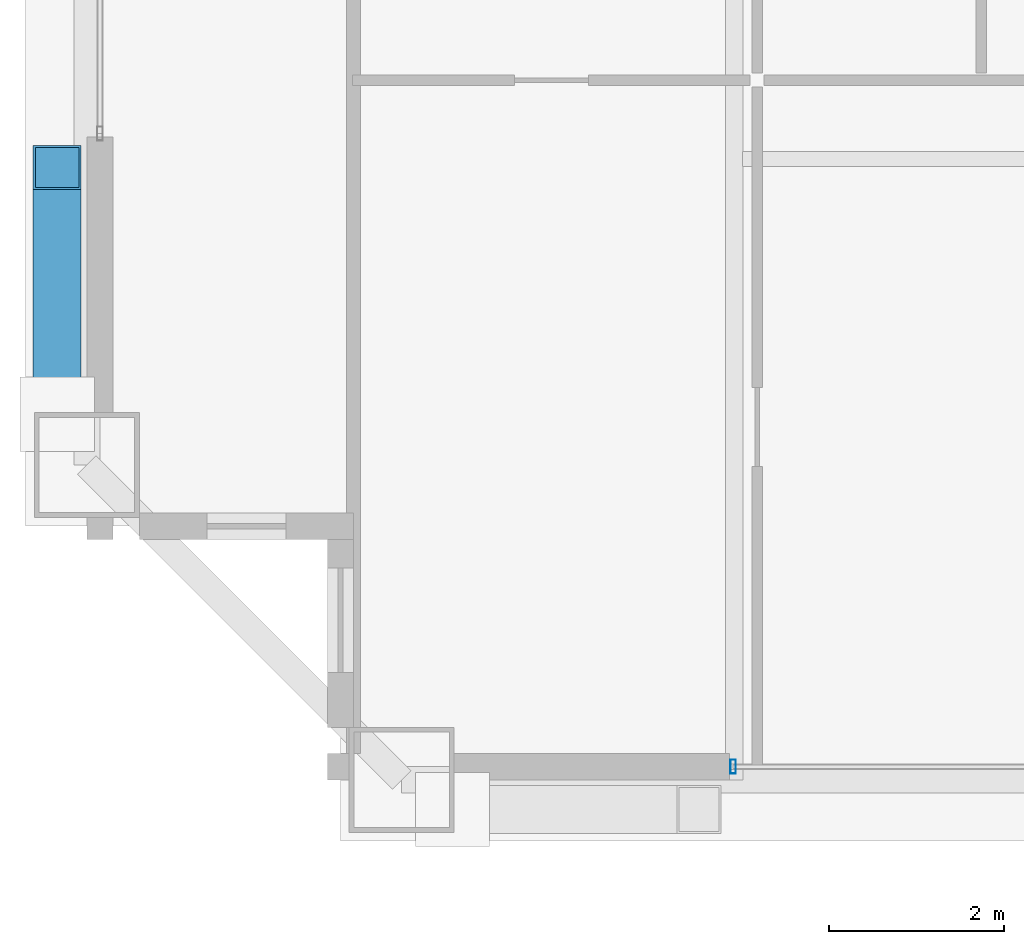
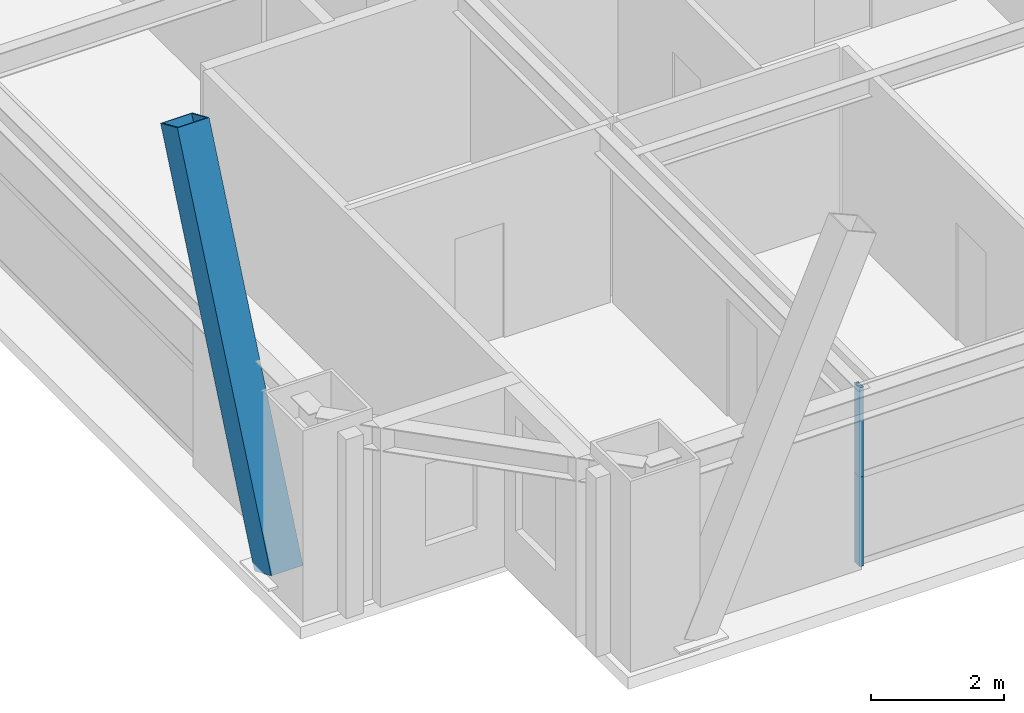
# One storey, part 4 of 37: 3 members, 1 element without a shape of its own.
"""IFC4 building model written with IfcOpenShell, lengths in metres."""

import ifcopenshell
import ifcopenshell.guid

model = None  # the IFC model being written
_history = None  # IfcOwnerHistory: only IFC2X3 demands one
_inside = {}  # id of a spatial element -> (the spatial element, [elements in it])
_under = {}  # id of a project, library or spatial element -> (it, [spatial elements below it])
_declared = {}  # id of a project -> (the project, [libraries it declares])
_typed = {}  # id of a type object -> (the type object, [elements of that type])
_made_of = {}  # id of a material, layer set ... -> (it, [elements and type objects made of it])


def new_model(schema):
    """Start an empty IFC model of exactly this schema.

    Asked for "IFC4X3", IfcOpenShell would pick the latest addendum, in which some entities
    have other attributes; the version numbers below select the first issue.
    IFC2X3 requires an IfcOwnerHistory on every rooted entity: one is made here for all.
    """
    global model, _history
    if schema == "IFC4X3":
        model = ifcopenshell.file(schema_version=(4, 3, 0, 0))
    else:
        model = ifcopenshell.file(schema=schema)
    _inside.clear()
    _under.clear()
    _declared.clear()
    _typed.clear()
    _made_of.clear()
    _history = None
    if model.schema == "IFC2X3":
        org = make("IfcOrganization", Name="unknown")
        user = make(
            "IfcPersonAndOrganization",
            ThePerson=make("IfcPerson", FamilyName="unknown"),
            TheOrganization=org,
        )
        app = make(
            "IfcApplication",
            ApplicationDeveloper=org,
            Version="unknown",
            ApplicationFullName="unknown",
            ApplicationIdentifier="unknown",
        )
        _history = make(
            "IfcOwnerHistory",
            OwningUser=user,
            OwningApplication=app,
            ChangeAction="ADDED",
            CreationDate=0,
        )
    return model


def make(cls, **values):
    """One entity of the class cls with the attributes given. An attribute that is None is left unset."""
    return model.create_entity(
        cls, **{name: value for name, value in values.items() if value is not None}
    )


def rooted(cls, **values):
    """An entity with a GlobalId (a new one), such as an element, a storey or a relation."""
    return make(cls, GlobalId=ifcopenshell.guid.new(), OwnerHistory=_history, **values)


def si_unit(unit_type, name, prefix=None):
    """IfcSIUnit, for example si_unit("LENGTHUNIT", "METRE", prefix="MILLI")."""
    return make("IfcSIUnit", UnitType=unit_type, Prefix=prefix, Name=name)


def assignment(units):
    """IfcUnitAssignment: the units of a project."""
    return None if units is None else make("IfcUnitAssignment", Units=units)


def point(xyz):
    """IfcCartesianPoint."""
    return None if xyz is None else make("IfcCartesianPoint", Coordinates=xyz)


def direction(xyz):
    """IfcDirection."""
    return None if xyz is None else make("IfcDirection", DirectionRatios=xyz)


def frame(location, z_axis=None, x_axis=None):
    """IfcAxis2Placement3D, a coordinate frame: its origin and axes. An axis left out is left unset."""
    return make(
        "IfcAxis2Placement3D",
        Location=point(location),
        Axis=direction(z_axis),
        RefDirection=direction(x_axis),
    )


def frame_2d(location, x_axis=None):
    """IfcAxis2Placement2D, a coordinate frame in the plane: its origin and x axis."""
    return make(
        "IfcAxis2Placement2D", Location=point(location), RefDirection=direction(x_axis)
    )


def origin():
    """The frame at (0, 0, 0) with its axes left unset."""
    return frame((0.0, 0.0, 0.0))


def origin_2d():
    """The frame at (0, 0) in the plane with its x axis left unset."""
    return frame_2d((0.0, 0.0))


def place(relative_to, where):
    """IfcLocalPlacement: puts the frame where relative to a parent placement (None: the world)."""
    return make(
        "IfcLocalPlacement", PlacementRelTo=relative_to, RelativePlacement=where
    )


def context(
    kind, dimensions, precision=None, world=None, true_north=None, identifier=None
):
    """IfcGeometricRepresentationContext, for example the 3D "Model" context."""
    return make(
        "IfcGeometricRepresentationContext",
        ContextIdentifier=identifier,
        ContextType=kind,
        CoordinateSpaceDimension=dimensions,
        Precision=precision,
        WorldCoordinateSystem=world,
        TrueNorth=true_north,
    )


def subcontext(parent, identifier, kind, view, scale=None):
    """IfcGeometricRepresentationSubContext, for example "Body" below "Model"."""
    return make(
        "IfcGeometricRepresentationSubContext",
        ContextIdentifier=identifier,
        ContextType=kind,
        ParentContext=parent,
        TargetScale=scale,
        TargetView=view,
    )


def project(units=None, contexts=None):
    """IfcProject with its units and contexts."""
    return rooted(
        "IfcProject",
        Name="project",
        RepresentationContexts=contexts,
        UnitsInContext=assignment(units),
    )


def spatial(cls, under=None, at=None, **own):
    """A site, building, storey or space (cls), placed at a placement, below another one or the project."""
    s = rooted(cls, ObjectPlacement=at, **own)
    if under is not None:
        _under.setdefault(under.id(), (under, []))[1].append(s)
    return s


def profile(cls, at=None, kind="AREA", **sizes):
    """A parametric profile (cls). Its sizes go by their IFC names, for example OverallWidth=200.0."""
    return make(cls, ProfileType=kind, Position=at, **sizes)


def hollow_rectangle(**sizes):
    """IfcRectangleHollowProfileDef."""
    return profile("IfcRectangleHollowProfileDef", **sizes)


def extrude(swept, where, along, depth):
    """IfcExtrudedAreaSolid: the profile swept, set in the frame where, extruded along a direction by depth."""
    return make(
        "IfcExtrudedAreaSolid",
        SweptArea=swept,
        Position=where,
        ExtrudedDirection=direction(along),
        Depth=depth,
    )


def shape(context_of_items, identifier, shape_type, items):
    """IfcShapeRepresentation: the items that make up one representation, for example the "Body"."""
    return make(
        "IfcShapeRepresentation",
        ContextOfItems=context_of_items,
        RepresentationIdentifier=identifier,
        RepresentationType=shape_type,
        Items=items,
    )


def source(mapping_origin, context_of_items, identifier, shape_type, items):
    """IfcRepresentationMap: a shape defined once, which mapped items show again and again."""
    return make(
        "IfcRepresentationMap",
        MappingOrigin=mapping_origin,
        MappedRepresentation=shape(context_of_items, identifier, shape_type, items),
    )


def transform(
    local_origin,
    x_axis=None,
    y_axis=None,
    z_axis=None,
    scale=None,
    scale2=None,
    scale3=None,
    uniform=True,
):
    """IfcCartesianTransformationOperator3D, or its non-uniform kind. x_axis, y_axis, z_axis: its Axis1, 2, 3."""
    if uniform:
        return make(
            "IfcCartesianTransformationOperator3D",
            Axis1=direction(x_axis),
            Axis2=direction(y_axis),
            LocalOrigin=point(local_origin),
            Scale=scale,
            Axis3=direction(z_axis),
        )
    return make(
        "IfcCartesianTransformationOperator3DnonUniform",
        Axis1=direction(x_axis),
        Axis2=direction(y_axis),
        LocalOrigin=point(local_origin),
        Scale=scale,
        Axis3=direction(z_axis),
        Scale2=scale2,
        Scale3=scale3,
    )


def mapped(mapping_source, mapping_target):
    """IfcMappedItem: shows the shape of a source again, moved by a transform."""
    return make(
        "IfcMappedItem", MappingSource=mapping_source, MappingTarget=mapping_target
    )


def material(Name=None, Category=None):
    """IfcMaterial."""
    return make("IfcMaterial", Name=Name, Category=Category)


def layer(
    of_material, thickness, ventilated=None, Name=None, Category=None, Priority=None
):
    """IfcMaterialLayer: one layer of a wall or slab, of a material (None: an air gap)."""
    return make(
        "IfcMaterialLayer",
        Material=of_material,
        LayerThickness=thickness,
        IsVentilated=ventilated,
        Name=Name,
        Category=Category,
        Priority=Priority,
    )


def layer_set(layers, Name=None):
    """IfcMaterialLayerSet."""
    return make("IfcMaterialLayerSet", MaterialLayers=layers, LayerSetName=Name)


def material_profile(
    of_material, cross_section, Name=None, Category=None, Priority=None
):
    """IfcMaterialProfile: a cross section and its material."""
    return make(
        "IfcMaterialProfile",
        Name=Name,
        Material=of_material,
        Profile=cross_section,
        Priority=Priority,
        Category=Category,
    )


def profile_set(profiles, Name=None, composite=None):
    """IfcMaterialProfileSet."""
    return make(
        "IfcMaterialProfileSet",
        Name=Name,
        MaterialProfiles=profiles,
        CompositeProfile=composite,
    )


def made_of(thing, what):
    """Note that an element or type object is made of a material, layer set ...; save() writes the relation."""
    if what is not None:
        _made_of.setdefault(what.id(), (what, []))[1].append(thing)
    return thing


def type_object(cls, material=None, **own):
    """A type object (cls), such as IfcWallType, which elements share."""
    return made_of(rooted(cls, **own), material)


def element(
    cls,
    number,
    at=None,
    inside=None,
    cuts=None,
    type_object=None,
    material=None,
    context=None,
    identifier="Body",
    shape_type=None,
    held_by="IfcProductDefinitionShape",
    body=None,
    shapes=None,
    **own,
):
    """One element of the class cls, such as IfcWall. Its Tag is "e" and its number.

    at: its placement. inside: the storey or other place that contains it. cuts: it is an
    opening in that element (IfcRelVoidsElement). A single representation is given by context,
    identifier, shape_type and body (its items); several are given by shapes. held_by: the class
    of the entity that holds the representations. save() writes the other relations.
    """
    e = rooted(cls, Tag="e%d" % number, ObjectPlacement=at, **own)
    if body is not None:
        shapes = [shape(context, identifier, shape_type, body)]
    if shapes is not None:
        e.Representation = make(held_by, Representations=shapes)
    if inside is not None:
        _inside.setdefault(inside.id(), (inside, []))[1].append(e)
    if cuts is not None:
        rooted(
            "IfcRelVoidsElement", RelatingBuildingElement=cuts, RelatedOpeningElement=e
        )
    if type_object is not None:
        _typed.setdefault(type_object.id(), (type_object, []))[1].append(e)
    return made_of(e, material)


def aggregate(whole, parts):
    """IfcRelAggregates: a whole, such as a stair, and the parts it consists of."""
    return rooted("IfcRelAggregates", RelatingObject=whole, RelatedObjects=parts)


def save(model, path):
    """Write the relations noted so far, then the file.

    IfcRelAggregates (storeys below a building ...), IfcRelContainedInSpatialStructure (elements
    in a storey), IfcRelDefinesByType, IfcRelAssociatesMaterial and IfcRelDeclares: one each for
    every whole, place, type object, material and project.
    """
    for whole, parts in _under.values():
        aggregate(whole, parts)
    for where, things in _inside.values():
        rooted(
            "IfcRelContainedInSpatialStructure",
            RelatedElements=things,
            RelatingStructure=where,
        )
    for kind, things in _typed.values():
        rooted("IfcRelDefinesByType", RelatedObjects=things, RelatingType=kind)
    for what, things in _made_of.values():
        rooted("IfcRelAssociatesMaterial", RelatedObjects=things, RelatingMaterial=what)
    for by, libraries in _declared.values():
        rooted("IfcRelDeclares", RelatingContext=by, RelatedDefinitions=libraries)
    model.write(path)


model = new_model("IFC4")

# Units and contexts
model_context = context("Model", 3, precision=1e-05, world=origin(), true_north=direction((0.0, 1.0)))
body_context = subcontext(model_context, "Body", "Model", "MODEL_VIEW")
ifc_project = project(units=[si_unit("LENGTHUNIT", "METRE"), si_unit("AREAUNIT", "SQUARE_METRE"), si_unit("VOLUMEUNIT", "CUBIC_METRE"), si_unit("PLANEANGLEUNIT", "RADIAN"), si_unit("MASSUNIT", "GRAM", prefix="KILO"), si_unit("THERMODYNAMICTEMPERATUREUNIT", "KELVIN"), si_unit("POWERUNIT", "WATT")], contexts=[model_context])

# Site, building, storey
site_placement = place(None, origin())
site = spatial("IfcSite", under=ifc_project, at=site_placement, CompositionType="ELEMENT")
building_placement = place(site_placement, origin())
building = spatial("IfcBuilding", under=site, at=building_placement, Name="Yuzanri Waterfront Tower", CompositionType="ELEMENT")
storey_placement = place(building_placement, frame((0.0, 0.0, 278.60009765625)))
storey = spatial("IfcBuildingStorey", under=building, at=storey_placement, Name="L74", CompositionType="ELEMENT", Elevation=278.60009765625)

# Member
ifc_material_1 = material(Name="Steel Q390GJC", Category="steel")
ifc_material_profile_1 = material_profile(ifc_material_1, hollow_rectangle(XDim=0.550048828125, YDim=0.550048828125, WallThickness=0.02490234375, at=origin_2d()), Name="RHS 550x550x25")
ifc_profile_set_1 = profile_set([ifc_material_profile_1], Name="Steel Q390GJC")
member_type_1 = type_object("IfcMemberType", Name="Mega Brace Mid Q390GJC RHS 550x550x25", PredefinedType="BRACE", material=ifc_profile_set_1)
shared_shape_1 = source(origin(), body_context, "Body", "SweptSolid", [
    extrude(hollow_rectangle(XDim=0.550048828125, YDim=0.550048828125, WallThickness=0.02490234375, at=origin_2d()), origin(), (0.0, 0.0, 1.0), 7.08544921875),
])
member_1_placement = place(storey_placement, frame((16.06005859375, 9.3798828125, 0.179931640625), z_axis=(0.0, 0.398011598745, 0.917380383082), x_axis=(-1.0, 0.0, 0.0)))
element("IfcMember", 1, at=member_1_placement, inside=storey, type_object=member_type_1, Name="L74-L75 Perimeter Mega-Brace W-L", PredefinedType="BRACE", context=body_context, shape_type="MappedRepresentation", body=[
    mapped(shared_shape_1, transform((0.0, 0.0, 0.0), scale=1.0)),
])

# Curtain wall, members
ifc_material_2 = material(Name="Anodized Architectural Bronze", Category="metal")
ifc_layer = layer(ifc_material_2, 0.159912109375)
ifc_layer_set = layer_set([ifc_layer], Name="Anodized Architectural Bronze")
curtain_wall_type = type_object("IfcCurtainWallType", Name="Anodized Bronze Mid-Rise Residential Acoustic Unitized Curtain Wall 7200", PredefinedType="NOTDEFINED", material=ifc_layer_set)
curtain_wall_placement = place(storey_placement, origin())
curtain_wall = element("IfcCurtainWall", 2, at=curtain_wall_placement, inside=storey, type_object=curtain_wall_type, Name="L74 Curtain Wall CW-L74-SL", PredefinedType="NOTDEFINED")
ifc_material_3 = material(Name="Anodized Architectural Bronze", Category="metal")
ifc_material_profile_2 = material_profile(ifc_material_3, hollow_rectangle(XDim=0.06494140625, YDim=0.159912109375, WallThickness=0.00341796875, at=origin_2d()), Name="CWM 65x160")
ifc_profile_set_2 = profile_set([ifc_material_profile_2], Name="Anodized Architectural Bronze")
member_type_2 = type_object("IfcMemberType", Name="Anodized Bronze Upper-Zone Curtain-Wall Mullion 65x160", PredefinedType="MULLION", material=ifc_profile_set_2)
shared_shape_2 = source(origin(), body_context, "Body", "SweptSolid", [
    extrude(hollow_rectangle(XDim=0.06494140625, YDim=0.159912109375, WallThickness=0.00341796875, at=origin_2d()), origin(), (0.0, 0.0, 1.0), 1.637939453125),
])
member_2_placement = place(storey_placement, frame((23.7900390625, 5.35009765625, 0.0), z_axis=(0.0, 0.0, 1.0), x_axis=(1.0, 0.0, 0.0)))
member_2 = element("IfcMember", 3, at=member_2_placement, type_object=member_type_2, Name="CW-L74-SL Lower Mullion 00", PredefinedType="MULLION", context=body_context, shape_type="MappedRepresentation", body=[
    mapped(shared_shape_2, transform((0.0, 0.0, 0.0), scale=1.0)),
])
member_3_placement = place(storey_placement, frame((23.7900390625, 5.35009765625, 1.641845703125), z_axis=(0.0, 0.0, 1.0), x_axis=(1.0, 0.0, 0.0)))
member_3 = element("IfcMember", 4, at=member_3_placement, type_object=member_type_2, Name="CW-L74-SL Upper Mullion 00", PredefinedType="MULLION", context=body_context, shape_type="MappedRepresentation", body=[
    mapped(shared_shape_2, transform((0.0, 0.0, 0.0), scale=1.0)),
])
aggregate(curtain_wall, [member_2, member_3])

save(model, "model.ifc")
